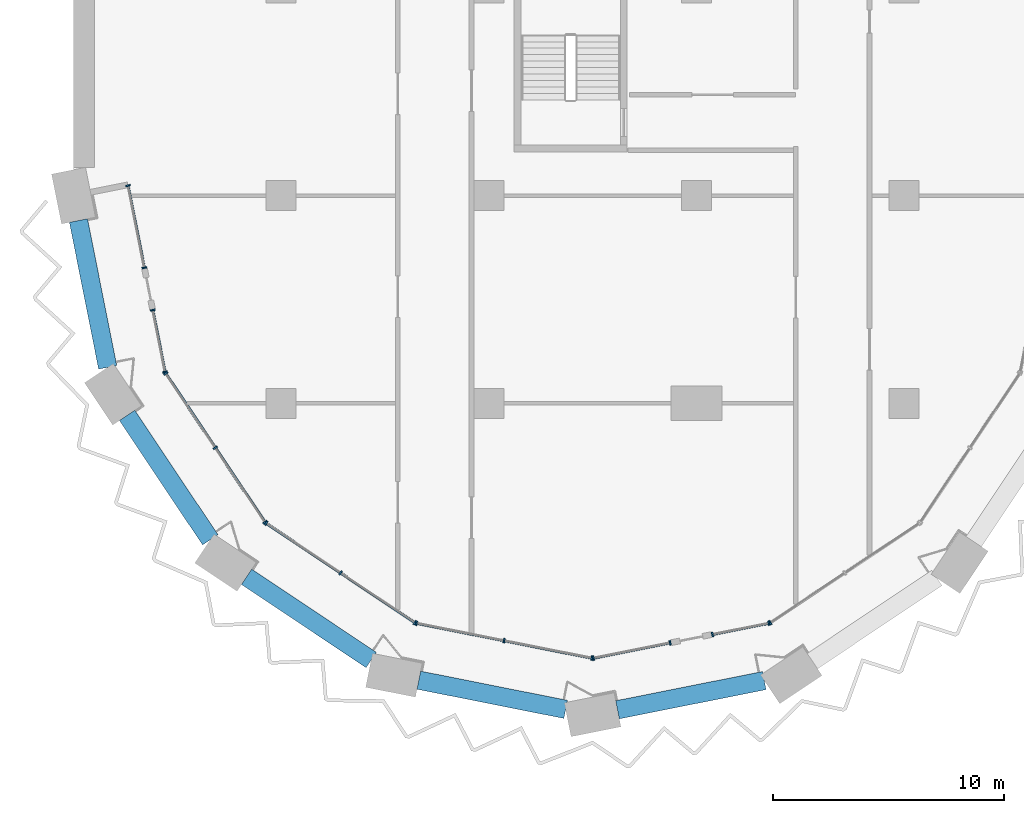
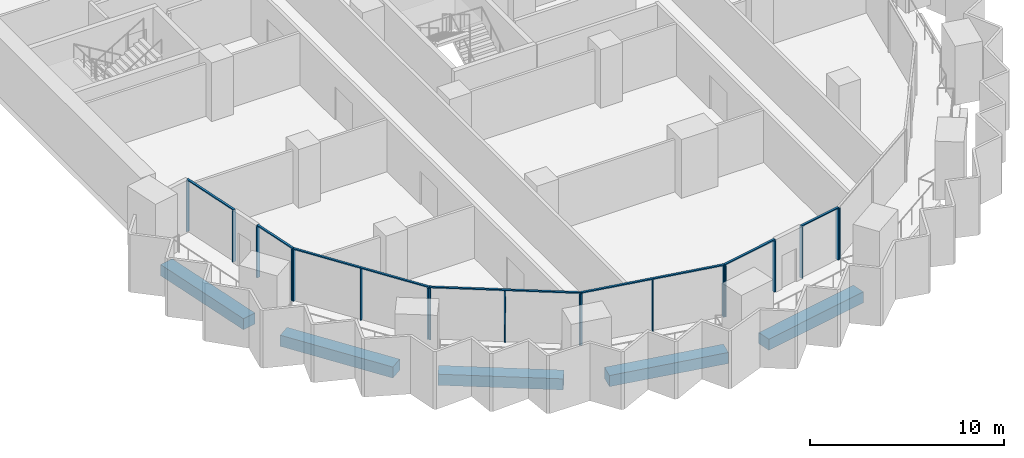
# One storey, part 2 of 23: 25 members, 5 beams, 8 elements without a shape of their own.
"""IFC4 building model written with IfcOpenShell, lengths in metres."""

from ifc_helpers import new_model, si_unit, direction, frame, origin, origin_2d, place, context, subcontext, project, spatial, rectangle, extrude, material, material_profile, profile_set, type_object, element, aggregate, save


model = new_model("IFC4")

# Units and contexts
model_context = context("Model", 3, precision=1e-05, world=origin(), true_north=direction((0.0, 1.0)))
body_context = subcontext(model_context, "Body", "Model", "MODEL_VIEW")
ifc_project = project(units=[si_unit("LENGTHUNIT", "METRE"), si_unit("AREAUNIT", "SQUARE_METRE"), si_unit("VOLUMEUNIT", "CUBIC_METRE"), si_unit("PLANEANGLEUNIT", "RADIAN"), si_unit("MASSUNIT", "GRAM", prefix="KILO")], contexts=[model_context])

# Site, building, storey
site_placement = place(None, origin())
site = spatial("IfcSite", under=ifc_project, at=site_placement, CompositionType="ELEMENT")
building_placement = place(site_placement, origin())
building = spatial("IfcBuilding", under=site, at=building_placement, Name="Hunhe Ridgeline Campus", CompositionType="ELEMENT")
storey_placement = place(building_placement, frame((0.0, 0.0, 110.699951171875)))
storey = spatial("IfcBuildingStorey", under=building, at=storey_placement, Name="L27", CompositionType="ELEMENT", Elevation=110.699951171875)

# Curtain wall, members
ifc_material_1 = material(Name="Aluminium 6063", Category="aluminium")
curtain_wall_type = type_object("IfcCurtainWallType", Name="Curtain wall CW-5", PredefinedType="NOTDEFINED", material=ifc_material_1)
curtain_wall_1_placement = place(storey_placement, origin())
curtain_wall_1 = element("IfcCurtainWall", 1, at=curtain_wall_1_placement, inside=storey, type_object=curtain_wall_type, Name="Curtain wall 01", PredefinedType="NOTDEFINED")
ifc_material_profile_1 = material_profile(ifc_material_1, rectangle(XDim=0.199951171875, YDim=0.070068359375, at=origin_2d()))
ifc_profile_set_1 = profile_set([ifc_material_profile_1], Name="Aluminium 6063")
member_type_1 = type_object("IfcMemberType", Name="CW-5 aluminium mullion", PredefinedType="MULLION", material=ifc_profile_set_1)
member_1_placement = place(storey_placement, frame((2.361572265625, 27.434326171875, 0.0), z_axis=(0.0, 0.0, 1.0), x_axis=(0.980784284924, 0.195095326561, 0.0)))
member_1 = element("IfcMember", 2, at=member_1_placement, type_object=member_type_1, Name="CW-5 mullion 1", PredefinedType="MULLION", context=body_context, shape_type="SweptSolid", body=[
    extrude(rectangle(XDim=0.199951171875, YDim=0.070068359375, at=origin_2d()), origin(), (0.0, 0.0, 1.0), 3.22998046875),
])
member_2_placement = place(storey_placement, frame((3.070068359375, 23.873291015625, 0.0), z_axis=(0.0, 0.0, 1.0), x_axis=(0.980784284924, 0.195095326561, 0.0)))
member_2 = element("IfcMember", 3, at=member_2_placement, type_object=member_type_1, Name="CW-5 mullion 2", PredefinedType="MULLION", context=body_context, shape_type="SweptSolid", body=[
    extrude(rectangle(XDim=0.199951171875, YDim=0.070068359375, at=origin_2d()), origin(), (0.0, 0.0, 1.0), 3.22998046875),
])

curtain_wall_2_placement = place(storey_placement, origin())
curtain_wall_2 = element("IfcCurtainWall", 4, at=curtain_wall_2_placement, inside=storey, type_object=curtain_wall_type, Name="Curtain wall 02", PredefinedType="NOTDEFINED")
member_3_placement = place(storey_placement, frame((3.434814453125, 22.0390625, 0.0), z_axis=(0.0, 0.0, 1.0), x_axis=(0.980784297053, 0.195095265587, 0.0)))
member_3 = element("IfcMember", 5, at=member_3_placement, type_object=member_type_1, Name="CW-5 mullion 1", PredefinedType="MULLION", context=body_context, shape_type="SweptSolid", body=[
    extrude(rectangle(XDim=0.199951171875, YDim=0.070068359375, at=origin_2d()), origin(), (0.0, 0.0, 1.0), 3.22998046875),
])
member_4_placement = place(storey_placement, frame((3.967529296875, 19.36083984375, 0.0), z_axis=(0.0, 0.0, 1.0), x_axis=(0.980784297053, 0.195095265587, 0.0)))
member_4 = element("IfcMember", 6, at=member_4_placement, type_object=member_type_1, Name="CW-5 mullion 2", PredefinedType="MULLION", context=body_context, shape_type="SweptSolid", body=[
    extrude(rectangle(XDim=0.199951171875, YDim=0.070068359375, at=origin_2d()), origin(), (0.0, 0.0, 1.0), 3.22998046875),
])

curtain_wall_3_placement = place(storey_placement, origin())
curtain_wall_3 = element("IfcCurtainWall", 7, at=curtain_wall_3_placement, inside=storey, type_object=curtain_wall_type, Name="Curtain wall 03", PredefinedType="NOTDEFINED")
member_5_placement = place(storey_placement, frame((3.993896484375, 19.29736328125, 0.0), z_axis=(0.0, 0.0, 1.0), x_axis=(0.831469584522, 0.555570274596, 0.0)))
member_5 = element("IfcMember", 8, at=member_5_placement, type_object=member_type_1, Name="CW-5 mullion 1", PredefinedType="MULLION", context=body_context, shape_type="SweptSolid", body=[
    extrude(rectangle(XDim=0.199951171875, YDim=0.070068359375, at=origin_2d()), origin(), (0.0, 0.0, 1.0), 3.22998046875),
])
member_6_placement = place(storey_placement, frame((6.147705078125, 16.07373046875, 0.0), z_axis=(0.0, 0.0, 1.0), x_axis=(0.831469584522, 0.555570274596, 0.0)))
member_6 = element("IfcMember", 9, at=member_6_placement, type_object=member_type_1, Name="CW-5 mullion 2", PredefinedType="MULLION", context=body_context, shape_type="SweptSolid", body=[
    extrude(rectangle(XDim=0.199951171875, YDim=0.070068359375, at=origin_2d()), origin(), (0.0, 0.0, 1.0), 3.22998046875),
])
member_7_placement = place(storey_placement, frame((8.3017578125, 12.850341796875, 0.0), z_axis=(0.0, 0.0, 1.0), x_axis=(0.831469584522, 0.555570274596, 0.0)))
member_7 = element("IfcMember", 10, at=member_7_placement, type_object=member_type_1, Name="CW-5 mullion 3", PredefinedType="MULLION", context=body_context, shape_type="SweptSolid", body=[
    extrude(rectangle(XDim=0.199951171875, YDim=0.070068359375, at=origin_2d()), origin(), (0.0, 0.0, 1.0), 3.22998046875),
])

curtain_wall_4_placement = place(storey_placement, origin())
curtain_wall_4 = element("IfcCurtainWall", 11, at=curtain_wall_4_placement, inside=storey, type_object=curtain_wall_type, Name="Curtain wall 04", PredefinedType="NOTDEFINED")
member_8_placement = place(storey_placement, frame((8.350341796875, 12.8017578125, 0.0), z_axis=(0.0, 0.0, 1.0), x_axis=(0.555570274596, 0.831469584522, 0.0)))
member_8 = element("IfcMember", 12, at=member_8_placement, type_object=member_type_1, Name="CW-5 mullion 1", PredefinedType="MULLION", context=body_context, shape_type="SweptSolid", body=[
    extrude(rectangle(XDim=0.199951171875, YDim=0.070068359375, at=origin_2d()), origin(), (0.0, 0.0, 1.0), 3.22998046875),
])
member_9_placement = place(storey_placement, frame((11.57373046875, 10.647705078125, 0.0), z_axis=(0.0, 0.0, 1.0), x_axis=(0.555570274596, 0.831469584522, 0.0)))
member_9 = element("IfcMember", 13, at=member_9_placement, type_object=member_type_1, Name="CW-5 mullion 2", PredefinedType="MULLION", context=body_context, shape_type="SweptSolid", body=[
    extrude(rectangle(XDim=0.199951171875, YDim=0.070068359375, at=origin_2d()), origin(), (0.0, 0.0, 1.0), 3.22998046875),
])
member_10_placement = place(storey_placement, frame((14.79736328125, 8.493896484375, 0.0), z_axis=(0.0, 0.0, 1.0), x_axis=(0.555570274596, 0.831469584522, 0.0)))
member_10 = element("IfcMember", 14, at=member_10_placement, type_object=member_type_1, Name="CW-5 mullion 3", PredefinedType="MULLION", context=body_context, shape_type="SweptSolid", body=[
    extrude(rectangle(XDim=0.199951171875, YDim=0.070068359375, at=origin_2d()), origin(), (0.0, 0.0, 1.0), 3.22998046875),
])

curtain_wall_5_placement = place(storey_placement, origin())
curtain_wall_5 = element("IfcCurtainWall", 15, at=curtain_wall_5_placement, inside=storey, type_object=curtain_wall_type, Name="Curtain wall 05", PredefinedType="NOTDEFINED")
member_11_placement = place(storey_placement, frame((14.86083984375, 8.467529296875, 0.0), z_axis=(0.0, 0.0, 1.0), x_axis=(0.195090347539, 0.980785275326, 0.0)))
member_11 = element("IfcMember", 16, at=member_11_placement, type_object=member_type_1, Name="CW-5 mullion 1", PredefinedType="MULLION", context=body_context, shape_type="SweptSolid", body=[
    extrude(rectangle(XDim=0.199951171875, YDim=0.070068359375, at=origin_2d()), origin(), (0.0, 0.0, 1.0), 3.22998046875),
])
member_12_placement = place(storey_placement, frame((18.663330078125, 7.711181640625, 0.0), z_axis=(0.0, 0.0, 1.0), x_axis=(0.195090347539, 0.980785275326, 0.0)))
member_12 = element("IfcMember", 17, at=member_12_placement, type_object=member_type_1, Name="CW-5 mullion 2", PredefinedType="MULLION", context=body_context, shape_type="SweptSolid", body=[
    extrude(rectangle(XDim=0.199951171875, YDim=0.070068359375, at=origin_2d()), origin(), (0.0, 0.0, 1.0), 3.22998046875),
])
member_13_placement = place(storey_placement, frame((22.465576171875, 6.954833984375, 0.0), z_axis=(0.0, 0.0, 1.0), x_axis=(0.195090347539, 0.980785275326, 0.0)))
member_13 = element("IfcMember", 18, at=member_13_placement, type_object=member_type_1, Name="CW-5 mullion 3", PredefinedType="MULLION", context=body_context, shape_type="SweptSolid", body=[
    extrude(rectangle(XDim=0.199951171875, YDim=0.070068359375, at=origin_2d()), origin(), (0.0, 0.0, 1.0), 3.22998046875),
])

curtain_wall_6_placement = place(storey_placement, origin())
curtain_wall_6 = element("IfcCurtainWall", 19, at=curtain_wall_6_placement, inside=storey, type_object=curtain_wall_type, Name="Curtain wall 06", PredefinedType="NOTDEFINED")
member_14_placement = place(storey_placement, frame((22.534423828125, 6.954833984375, 0.0), z_axis=(0.0, 0.0, 1.0), x_axis=(-0.19509037034, 0.980785270791, 0.0)))
member_14 = element("IfcMember", 20, at=member_14_placement, type_object=member_type_1, Name="CW-5 mullion 1", PredefinedType="MULLION", context=body_context, shape_type="SweptSolid", body=[
    extrude(rectangle(XDim=0.199951171875, YDim=0.070068359375, at=origin_2d()), origin(), (0.0, 0.0, 1.0), 3.22998046875),
])
member_15_placement = place(storey_placement, frame((25.861083984375, 7.61669921875, 0.0), z_axis=(0.0, 0.0, 1.0), x_axis=(-0.19509037034, 0.980785270791, 0.0)))
member_15 = element("IfcMember", 21, at=member_15_placement, type_object=member_type_1, Name="CW-5 mullion 2", PredefinedType="MULLION", context=body_context, shape_type="SweptSolid", body=[
    extrude(rectangle(XDim=0.199951171875, YDim=0.070068359375, at=origin_2d()), origin(), (0.0, 0.0, 1.0), 3.22998046875),
])

curtain_wall_7_placement = place(storey_placement, origin())
curtain_wall_7 = element("IfcCurtainWall", 22, at=curtain_wall_7_placement, inside=storey, type_object=curtain_wall_type, Name="Curtain wall 07", PredefinedType="NOTDEFINED")
member_16_placement = place(storey_placement, frame((27.695068359375, 7.9814453125, 0.0), z_axis=(0.0, 0.0, 1.0), x_axis=(-0.195090514627, 0.980785242091, 0.0)))
member_16 = element("IfcMember", 23, at=member_16_placement, type_object=member_type_1, Name="CW-5 mullion 1", PredefinedType="MULLION", context=body_context, shape_type="SweptSolid", body=[
    extrude(rectangle(XDim=0.199951171875, YDim=0.070068359375, at=origin_2d()), origin(), (0.0, 0.0, 1.0), 3.22998046875),
])
member_17_placement = place(storey_placement, frame((30.13916015625, 8.467529296875, 0.0), z_axis=(0.0, 0.0, 1.0), x_axis=(-0.195090514627, 0.980785242091, 0.0)))
member_17 = element("IfcMember", 24, at=member_17_placement, type_object=member_type_1, Name="CW-5 mullion 2", PredefinedType="MULLION", context=body_context, shape_type="SweptSolid", body=[
    extrude(rectangle(XDim=0.199951171875, YDim=0.070068359375, at=origin_2d()), origin(), (0.0, 0.0, 1.0), 3.22998046875),
])

# Curtain wall, member
curtain_wall_8_placement = place(storey_placement, origin())
curtain_wall_8 = element("IfcCurtainWall", 25, at=curtain_wall_8_placement, inside=storey, type_object=curtain_wall_type, Name="Curtain wall 08", PredefinedType="NOTDEFINED")
member_18_placement = place(storey_placement, frame((30.20263671875, 8.493896484375, 0.0), z_axis=(0.0, 0.0, 1.0), x_axis=(-0.555570274596, 0.831469584522, 0.0)))
member_18 = element("IfcMember", 26, at=member_18_placement, type_object=member_type_1, Name="CW-5 mullion 1", PredefinedType="MULLION", context=body_context, shape_type="SweptSolid", body=[
    extrude(rectangle(XDim=0.199951171875, YDim=0.070068359375, at=origin_2d()), origin(), (0.0, 0.0, 1.0), 3.22998046875),
])
aggregate(curtain_wall_8, [member_18])

# Member
ifc_material_profile_2 = material_profile(ifc_material_1, rectangle(XDim=0.1201171875, YDim=0.070068359375, at=origin_2d()))
ifc_profile_set_2 = profile_set([ifc_material_profile_2], Name="Aluminium 6063")
member_type_2 = type_object("IfcMemberType", Name="CW-5 aluminium transom", PredefinedType="USERDEFINED", material=ifc_profile_set_2)
member_19_placement = place(storey_placement, frame((2.354736328125, 27.46875, 3.26513671875), z_axis=(0.195126549745, -0.980778073564, 0.0), x_axis=(0.980778073564, 0.195126549745, 0.0)))
member_19 = element("IfcMember", 27, at=member_19_placement, type_object=member_type_2, Name="CW-5 transom 1", ObjectType="TRANSOM", PredefinedType="USERDEFINED", context=body_context, shape_type="SweptSolid", body=[
    extrude(rectangle(XDim=0.1201171875, YDim=0.070068359375, at=origin_2d()), origin(), (0.0, 0.0, 1.0), 3.700927734375),
])

aggregate(curtain_wall_1, [member_19, member_1, member_2])

member_20_placement = place(storey_placement, frame((3.427978515625, 22.073486328125, 3.26513671875), z_axis=(0.195076742145, -0.98078798151, 0.0), x_axis=(0.98078798151, 0.195076742145, 0.0)))
member_20 = element("IfcMember", 28, at=member_20_placement, type_object=member_type_2, Name="CW-5 transom 1", ObjectType="TRANSOM", PredefinedType="USERDEFINED", context=body_context, shape_type="SweptSolid", body=[
    extrude(rectangle(XDim=0.1201171875, YDim=0.070068359375, at=origin_2d()), origin(), (0.0, 0.0, 1.0), 2.80078125),
])

aggregate(curtain_wall_2, [member_20, member_3, member_4])

member_21_placement = place(storey_placement, frame((3.974365234375, 19.326416015625, 3.26513671875), z_axis=(0.5555640203, -0.831473763475, 0.0), x_axis=(0.831473763475, 0.5555640203, 0.0)))
member_21 = element("IfcMember", 29, at=member_21_placement, type_object=member_type_2, Name="CW-5 transom 1", ObjectType="TRANSOM", PredefinedType="USERDEFINED", context=body_context, shape_type="SweptSolid", body=[
    extrude(rectangle(XDim=0.1201171875, YDim=0.070068359375, at=origin_2d()), origin(), (0.0, 0.0, 1.0), 7.823974609375),
])

aggregate(curtain_wall_3, [member_21, member_5, member_6, member_7])

member_22_placement = place(storey_placement, frame((8.321044921875, 12.821044921875, 3.26513671875), z_axis=(0.831473763475, -0.5555640203, 0.0), x_axis=(0.5555640203, 0.831473763475, 0.0)))
member_22 = element("IfcMember", 30, at=member_22_placement, type_object=member_type_2, Name="CW-5 transom 1", ObjectType="TRANSOM", PredefinedType="USERDEFINED", context=body_context, shape_type="SweptSolid", body=[
    extrude(rectangle(XDim=0.1201171875, YDim=0.070068359375, at=origin_2d()), origin(), (0.0, 0.0, 1.0), 7.823974609375),
])

aggregate(curtain_wall_4, [member_22, member_8, member_9, member_10])

member_23_placement = place(storey_placement, frame((14.826416015625, 8.474365234375, 3.26513671875), z_axis=(0.980785367689, -0.195089883198, 0.0), x_axis=(0.195089883198, 0.980785367689, 0.0)))
member_23 = element("IfcMember", 31, at=member_23_placement, type_object=member_type_2, Name="CW-5 transom 1", ObjectType="TRANSOM", PredefinedType="USERDEFINED", context=body_context, shape_type="SweptSolid", body=[
    extrude(rectangle(XDim=0.1201171875, YDim=0.070068359375, at=origin_2d()), origin(), (0.0, 0.0, 1.0), 7.823974609375),
])

aggregate(curtain_wall_5, [member_23, member_11, member_12, member_13])

member_24_placement = place(storey_placement, frame((22.5, 6.947998046875, 3.26513671875), z_axis=(0.980778171596, 0.195126057004, 0.0), x_axis=(-0.195126057004, 0.980778171596, 0.0)))
member_24 = element("IfcMember", 32, at=member_24_placement, type_object=member_type_2, Name="CW-5 transom 1", ObjectType="TRANSOM", PredefinedType="USERDEFINED", context=body_context, shape_type="SweptSolid", body=[
    extrude(rectangle(XDim=0.1201171875, YDim=0.070068359375, at=origin_2d()), origin(), (0.0, 0.0, 1.0), 3.462158203125),
])

aggregate(curtain_wall_6, [member_24, member_14, member_15])

member_25_placement = place(storey_placement, frame((27.660888671875, 7.974609375, 3.26513671875), z_axis=(0.980789038007, 0.195071430315, 0.0), x_axis=(-0.195071430315, 0.980789038007, 0.0)))
member_25 = element("IfcMember", 33, at=member_25_placement, type_object=member_type_2, Name="CW-5 transom 1", ObjectType="TRANSOM", PredefinedType="USERDEFINED", context=body_context, shape_type="SweptSolid", body=[
    extrude(rectangle(XDim=0.1201171875, YDim=0.070068359375, at=origin_2d()), origin(), (0.0, 0.0, 1.0), 2.56201171875),
])

aggregate(curtain_wall_7, [member_25, member_16, member_17])

# Beams
ifc_material_2 = material(Name="Concrete C60", Category="concrete")
ifc_material_profile_3 = material_profile(ifc_material_2, rectangle(XDim=0.800048828125, YDim=0.699951171875, at=origin_2d()))
ifc_profile_set_3 = profile_set([ifc_material_profile_3], Name="Concrete C60")
beam_type = type_object("IfcBeamType", Name="RC spandrel beam 800x700 Concrete C60", PredefinedType="SPANDREL", material=ifc_profile_set_3)
for number, where, z_axis, x_axis, name in (
    (34, (0.214599609375, 25.921142578125, -0.599853515625), (0.195095759636, -0.980784198778, 0.0), (0.980784198778, 0.195095759636, 0.0), "Spandrel beam B1-1 L27"),
    (35, (2.32373046875, 17.47509765625, -0.599853515625), (0.555585540178, -0.831459384183, 0.0), (0.831459384183, 0.555585540178, 0.0), "Spandrel beam B1-2 L27"),
    (36, (7.504638671875, 10.47900390625, -0.599853515625), (0.831476765351, -0.555559527577, 0.0), (0.555559527577, 0.831476765351, 0.0), "Spandrel beam B1-3 L27"),
    (37, (14.968505859375, 5.998046875, -0.599853515625), (0.980784198778, -0.195095759636, 0.0), (0.195095759636, 0.980784198778, 0.0), "Spandrel beam B1-4 L27"),
    (38, (23.578857421875, 4.714599609375, -0.599853515625), (0.980784198778, 0.195095759636, 0.0), (-0.195095759636, 0.980784198778, 0.0), "Spandrel beam B1-5 L27"),
):
    element("IfcBeam", number, at=place(storey_placement, frame(where, z_axis=z_axis, x_axis=x_axis)), inside=storey, type_object=beam_type, Name=name, PredefinedType="SPANDREL", context=body_context, shape_type="SweptSolid", body=[
        extrude(rectangle(XDim=0.800048828125, YDim=0.699951171875, at=origin_2d()), origin(), (0.0, 0.0, 1.0), 6.488525390625),
    ])

save(model, "model.ifc")
